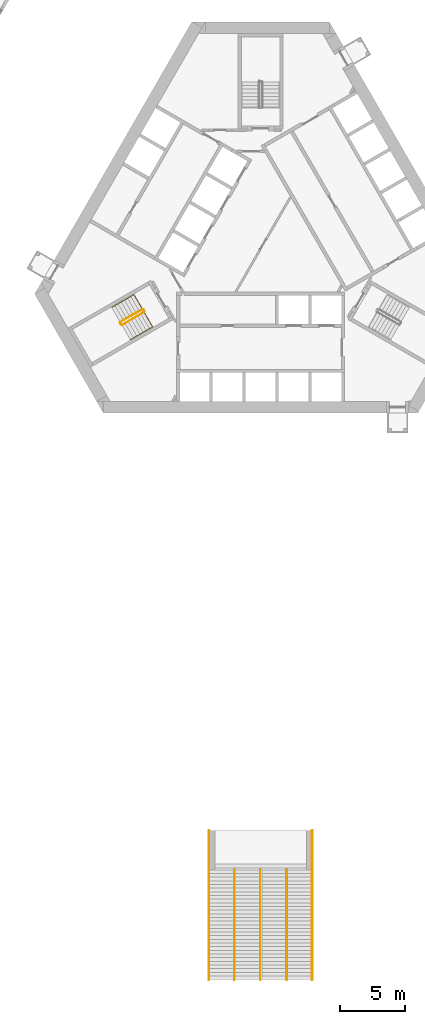
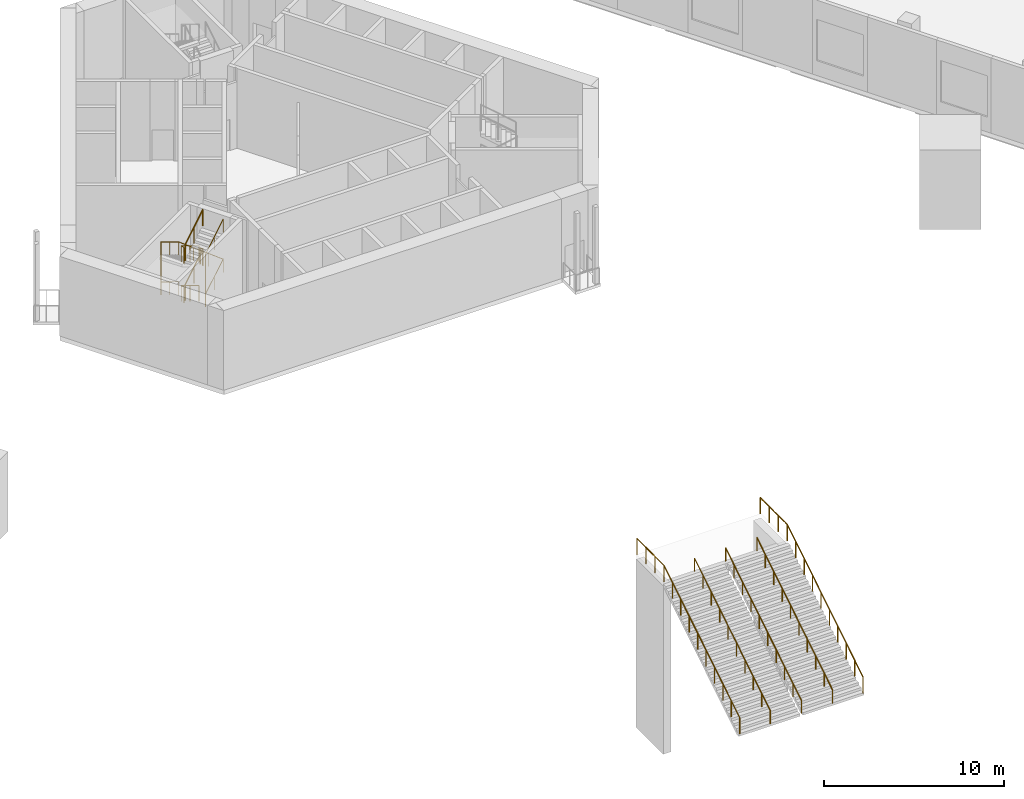
# One storey, part 27 of 35: 10 railings.
"""IFC4 building model written with IfcOpenShell, lengths in metres."""

from ifc_helpers import new_model, si_unit, direction, frame, origin, origin_2d, place, context, subcontext, project, spatial, circle, extrude, material, type_object, element, save


model = new_model("IFC4")

# Units and contexts
model_context = context("Model", 3, precision=1e-05, world=origin(), true_north=direction((0.0, 1.0)))
body_context = subcontext(model_context, "Body", "Model", "MODEL_VIEW")
ifc_project = project(units=[si_unit("LENGTHUNIT", "METRE"), si_unit("AREAUNIT", "SQUARE_METRE"), si_unit("VOLUMEUNIT", "CUBIC_METRE"), si_unit("PLANEANGLEUNIT", "RADIAN"), si_unit("MASSUNIT", "GRAM", prefix="KILO")], contexts=[model_context])

# Site, building, storey
site_placement = place(None, origin())
site = spatial("IfcSite", under=ifc_project, at=site_placement, CompositionType="ELEMENT")
building_placement = place(site_placement, origin())
building = spatial("IfcBuilding", under=site, at=building_placement, Name="Mestral Congress Tower", CompositionType="ELEMENT")
storey_placement = place(building_placement, frame((0.0, 0.0, 6.0)))
storey = spatial("IfcBuildingStorey", under=building, at=storey_placement, Name="L01", CompositionType="ELEMENT", Elevation=6.0)

# Railings
ifc_material_1 = material(Name="Steel balustrade", Category="steel")
railing_type_1 = type_object("IfcRailingType", Name="Podium broad stair guard 1100", PredefinedType="GUARDRAIL", material=ifc_material_1)
railing_1_placement = place(storey_placement, frame((-3.949951171875, -56.2880859375, 0.17431640625)))
element("IfcRailing", 1, at=railing_1_placement, inside=storey, type_object=railing_type_1, Name="Broad stair guard west", PredefinedType="GUARDRAIL", context=body_context, shape_type="SweptSolid", body=[
    extrude(circle(Radius=0.02392578125, at=origin_2d()), frame((0.0, 0.0, 1.076171875), z_axis=(0.0, 0.849109734035, 0.528216489298), x_axis=(-1.0, 0.0, 0.0)), (0.0, 0.0, 1.0), 9.892822265625),
    extrude(circle(Radius=0.02392578125, at=origin_2d()), frame((0.0, 8.400146484375, 6.3017578125), z_axis=(0.0, 1.0, 0.0), x_axis=(-1.0, 0.0, 0.0)), (0.0, 0.0, 1.0), 3.0),
    extrude(circle(Radius=0.02099609375, at=origin_2d()), origin(), (0.0, 0.0, 1.0), 1.052001953125),
    extrude(circle(Radius=0.02099609375, at=origin_2d()), frame((0.0, 0.933349609375, 0.58056640625)), (0.0, 0.0, 1.0), 1.052001953125),
    extrude(circle(Radius=0.02099609375, at=origin_2d()), frame((0.0, 1.86669921875, 1.1611328125)), (0.0, 0.0, 1.0), 1.052001953125),
    extrude(circle(Radius=0.02099609375, at=origin_2d()), frame((0.0, 2.800048828125, 1.741943359375)), (0.0, 0.0, 1.0), 1.052001953125),
    extrude(circle(Radius=0.02099609375, at=origin_2d()), frame((0.0, 3.7333984375, 2.322509765625)), (0.0, 0.0, 1.0), 1.052001953125),
    extrude(circle(Radius=0.02099609375, at=origin_2d()), frame((0.0, 4.666748046875, 2.903076171875)), (0.0, 0.0, 1.0), 1.052001953125),
    extrude(circle(Radius=0.02099609375, at=origin_2d()), frame((0.0, 5.60009765625, 3.483642578125)), (0.0, 0.0, 1.0), 1.052001953125),
    extrude(circle(Radius=0.02099609375, at=origin_2d()), frame((0.0, 6.533447265625, 4.064453125)), (0.0, 0.0, 1.0), 1.052001953125),
    extrude(circle(Radius=0.02099609375, at=origin_2d()), frame((0.0, 7.466796875, 4.64501953125)), (0.0, 0.0, 1.0), 1.052001953125),
    extrude(circle(Radius=0.02099609375, at=origin_2d()), frame((0.0, 8.400146484375, 5.2255859375)), (0.0, 0.0, 1.0), 1.052001953125),
    extrude(circle(Radius=0.02099609375, at=origin_2d()), frame((0.0, 9.400146484375, 5.2255859375)), (0.0, 0.0, 1.0), 1.052001953125),
    extrude(circle(Radius=0.02099609375, at=origin_2d()), frame((0.0, 10.400146484375, 5.2255859375)), (0.0, 0.0, 1.0), 1.052001953125),
    extrude(circle(Radius=0.02099609375, at=origin_2d()), frame((0.0, 11.400146484375, 5.2255859375)), (0.0, 0.0, 1.0), 1.052001953125),
])
railing_2_placement = place(storey_placement, frame((3.949951171875, -56.2880859375, 0.17431640625)))
element("IfcRailing", 2, at=railing_2_placement, inside=storey, type_object=railing_type_1, Name="Broad stair guard east", PredefinedType="GUARDRAIL", context=body_context, shape_type="SweptSolid", body=[
    extrude(circle(Radius=0.02392578125, at=origin_2d()), frame((0.0, 0.0, 1.076171875), z_axis=(0.0, 0.849109734035, 0.528216489298), x_axis=(-1.0, 0.0, 0.0)), (0.0, 0.0, 1.0), 9.892822265625),
    extrude(circle(Radius=0.02392578125, at=origin_2d()), frame((0.0, 8.400146484375, 6.3017578125), z_axis=(0.0, 1.0, 0.0), x_axis=(-1.0, 0.0, 0.0)), (0.0, 0.0, 1.0), 3.0),
    extrude(circle(Radius=0.02099609375, at=origin_2d()), origin(), (0.0, 0.0, 1.0), 1.052001953125),
    extrude(circle(Radius=0.02099609375, at=origin_2d()), frame((0.0, 0.933349609375, 0.58056640625)), (0.0, 0.0, 1.0), 1.052001953125),
    extrude(circle(Radius=0.02099609375, at=origin_2d()), frame((0.0, 1.86669921875, 1.1611328125)), (0.0, 0.0, 1.0), 1.052001953125),
    extrude(circle(Radius=0.02099609375, at=origin_2d()), frame((0.0, 2.800048828125, 1.741943359375)), (0.0, 0.0, 1.0), 1.052001953125),
    extrude(circle(Radius=0.02099609375, at=origin_2d()), frame((0.0, 3.7333984375, 2.322509765625)), (0.0, 0.0, 1.0), 1.052001953125),
    extrude(circle(Radius=0.02099609375, at=origin_2d()), frame((0.0, 4.666748046875, 2.903076171875)), (0.0, 0.0, 1.0), 1.052001953125),
    extrude(circle(Radius=0.02099609375, at=origin_2d()), frame((0.0, 5.60009765625, 3.483642578125)), (0.0, 0.0, 1.0), 1.052001953125),
    extrude(circle(Radius=0.02099609375, at=origin_2d()), frame((0.0, 6.533447265625, 4.064453125)), (0.0, 0.0, 1.0), 1.052001953125),
    extrude(circle(Radius=0.02099609375, at=origin_2d()), frame((0.0, 7.466796875, 4.64501953125)), (0.0, 0.0, 1.0), 1.052001953125),
    extrude(circle(Radius=0.02099609375, at=origin_2d()), frame((0.0, 8.400146484375, 5.2255859375)), (0.0, 0.0, 1.0), 1.052001953125),
    extrude(circle(Radius=0.02099609375, at=origin_2d()), frame((0.0, 9.400146484375, 5.2255859375)), (0.0, 0.0, 1.0), 1.052001953125),
    extrude(circle(Radius=0.02099609375, at=origin_2d()), frame((0.0, 10.400146484375, 5.2255859375)), (0.0, 0.0, 1.0), 1.052001953125),
    extrude(circle(Radius=0.02099609375, at=origin_2d()), frame((0.0, 11.400146484375, 5.2255859375)), (0.0, 0.0, 1.0), 1.052001953125),
])
ifc_material_2 = material(Name="Steel handrail", Category="steel")
railing_type_2 = type_object("IfcRailingType", Name="Podium broad stair handrail 900", PredefinedType="HANDRAIL", material=ifc_material_2)
for number, where, name in (
    (3, (-2.0, -56.2880859375, 0.17431640625), "Broad stair handrail"),
    (4, (0.0, -56.2880859375, 0.17431640625), "Broad stair handrail"),
    (5, (2.0, -56.2880859375, 0.17431640625), "Broad stair handrail"),
):
    element("IfcRailing", number, at=place(storey_placement, frame(where)), inside=storey, type_object=railing_type_2, Name=name, PredefinedType="HANDRAIL", context=body_context, shape_type="SweptSolid", body=[
        extrude(circle(Radius=0.02392578125, at=origin_2d()), frame((0.0, 0.0, 0.8759765625), z_axis=(0.0, 0.849109734035, 0.528216489298), x_axis=(-1.0, 0.0, 0.0)), (0.0, 0.0, 1.0), 9.892822265625),
        extrude(circle(Radius=0.02099609375, at=origin_2d()), origin(), (0.0, 0.0, 1.0), 0.851806640625),
        extrude(circle(Radius=0.02099609375, at=origin_2d()), frame((0.0, 0.933349609375, 0.58056640625)), (0.0, 0.0, 1.0), 0.851806640625),
        extrude(circle(Radius=0.02099609375, at=origin_2d()), frame((0.0, 1.86669921875, 1.1611328125)), (0.0, 0.0, 1.0), 0.851806640625),
        extrude(circle(Radius=0.02099609375, at=origin_2d()), frame((0.0, 2.800048828125, 1.741943359375)), (0.0, 0.0, 1.0), 0.851806640625),
        extrude(circle(Radius=0.02099609375, at=origin_2d()), frame((0.0, 3.7333984375, 2.322509765625)), (0.0, 0.0, 1.0), 0.851806640625),
        extrude(circle(Radius=0.02099609375, at=origin_2d()), frame((0.0, 4.666748046875, 2.903076171875)), (0.0, 0.0, 1.0), 0.851806640625),
        extrude(circle(Radius=0.02099609375, at=origin_2d()), frame((0.0, 5.60009765625, 3.483642578125)), (0.0, 0.0, 1.0), 0.851806640625),
        extrude(circle(Radius=0.02099609375, at=origin_2d()), frame((0.0, 6.533447265625, 4.064453125)), (0.0, 0.0, 1.0), 0.851806640625),
        extrude(circle(Radius=0.02099609375, at=origin_2d()), frame((0.0, 7.466796875, 4.64501953125)), (0.0, 0.0, 1.0), 0.851806640625),
        extrude(circle(Radius=0.02099609375, at=origin_2d()), frame((0.0, 8.400146484375, 5.2255859375)), (0.0, 0.0, 1.0), 0.851806640625),
    ])
railing_type_3 = type_object("IfcRailingType", Name="Stair guard 1100", PredefinedType="GUARDRAIL", material=ifc_material_1)
railing_3_placement = place(storey_placement, frame((-9.02587890625, -5.066650390625, 0.168701171875)))
element("IfcRailing", 6, at=railing_3_placement, inside=storey, type_object=railing_type_3, Name="L01 ST3 stair guard 1", PredefinedType="GUARDRAIL", context=body_context, shape_type="SweptSolid", body=[
    extrude(circle(Radius=0.02392578125, at=origin_2d()), frame((0.0, 0.0, 1.076171875), z_axis=(-0.741730552229, -0.428204578836, 0.516213741153), x_axis=(0.499970440388, -0.866042469362, 0.0)), (0.0, 0.0, 1.0), 2.28857421875),
    extrude(circle(Radius=0.02392578125, at=origin_2d()), frame((-1.697509765625, -0.97998046875, 2.25732421875), z_axis=(0.275815366736, -0.96121063429, 0.0), x_axis=(0.96121063429, 0.275815366736, 0.0)), (0.0, 0.0, 1.0), 0.206298828125),
    extrude(circle(Radius=0.02099609375, at=origin_2d()), origin(), (0.0, 0.0, 1.0), 1.052001953125),
    extrude(circle(Radius=0.02099609375, at=origin_2d()), frame((-0.8486328125, -0.489990234375, 0.5908203125)), (0.0, 0.0, 1.0), 1.052001953125),
    extrude(circle(Radius=0.02099609375, at=origin_2d()), frame((-1.697509765625, -0.97998046875, 1.181396484375)), (0.0, 0.0, 1.0), 1.052001953125),
    extrude(circle(Radius=0.02099609375, at=origin_2d()), frame((-1.640625, -1.17822265625, 1.181396484375)), (0.0, 0.0, 1.0), 1.052001953125),
])
railing_4_placement = place(storey_placement, frame((-10.598388671875, -6.26318359375, 1.518798828125)))
element("IfcRailing", 7, at=railing_4_placement, inside=storey, type_object=railing_type_3, Name="L01 ST3 stair guard 2", PredefinedType="GUARDRAIL", context=body_context, shape_type="SweptSolid", body=[
    extrude(circle(Radius=0.02392578125, at=origin_2d()), frame((0.0, 0.0, 1.076171875), z_axis=(0.741771397394, 0.428228158944, 0.516135484049), x_axis=(-0.499970440388, 0.866042469362, 0.0)), (0.0, 0.0, 1.0), 2.28857421875),
    extrude(circle(Radius=0.02392578125, at=origin_2d()), frame((1.697509765625, 0.97998046875, 2.25732421875), z_axis=(0.258736085224, 0.965948051503, 0.0), x_axis=(-0.965948051503, 0.258736085224, 0.0)), (0.0, 0.0, 1.0), 0.07080078125),
    extrude(circle(Radius=0.02392578125, at=origin_2d()), frame((1.7158203125, 1.04833984375, 2.25732421875), z_axis=(-0.499816412211, 0.866131372301, 0.0), x_axis=(-0.866131372301, -0.499816412211, 0.0)), (0.0, 0.0, 1.0), 0.14990234375),
    extrude(circle(Radius=0.02099609375, at=origin_2d()), origin(), (0.0, 0.0, 1.0), 1.052001953125),
    extrude(circle(Radius=0.02099609375, at=origin_2d()), frame((0.8486328125, 0.489990234375, 0.590576171875)), (0.0, 0.0, 1.0), 1.052001953125),
    extrude(circle(Radius=0.02099609375, at=origin_2d()), frame((1.697509765625, 0.97998046875, 1.18115234375)), (0.0, 0.0, 1.0), 1.052001953125),
    extrude(circle(Radius=0.02099609375, at=origin_2d()), frame((1.7158203125, 1.04833984375, 1.18115234375)), (0.0, 0.0, 1.0), 1.052001953125),
    extrude(circle(Radius=0.02099609375, at=origin_2d()), frame((1.640869140625, 1.17822265625, 1.18115234375)), (0.0, 0.0, 1.0), 1.052001953125),
])
railing_5_placement = place(storey_placement, frame((-9.02587890625, -5.066650390625, 2.86865234375)))
element("IfcRailing", 8, at=railing_5_placement, inside=storey, type_object=railing_type_3, Name="L01 ST3 stair guard 3", PredefinedType="GUARDRAIL", context=body_context, shape_type="SweptSolid", body=[
    extrude(circle(Radius=0.02392578125, at=origin_2d()), frame((0.0, 0.0, 1.076171875), z_axis=(-0.741730552229, -0.428204578836, 0.516213741153), x_axis=(0.499970440388, -0.866042469362, 0.0)), (0.0, 0.0, 1.0), 2.28857421875),
    extrude(circle(Radius=0.02392578125, at=origin_2d()), frame((-1.697509765625, -0.97998046875, 2.25732421875), z_axis=(0.275815366736, -0.96121063429, 0.0), x_axis=(0.96121063429, 0.275815366736, 0.0)), (0.0, 0.0, 1.0), 0.206298828125),
    extrude(circle(Radius=0.02099609375, at=origin_2d()), origin(), (0.0, 0.0, 1.0), 1.052001953125),
    extrude(circle(Radius=0.02099609375, at=origin_2d()), frame((-0.8486328125, -0.489990234375, 0.5908203125)), (0.0, 0.0, 1.0), 1.052001953125),
    extrude(circle(Radius=0.02099609375, at=origin_2d()), frame((-1.697509765625, -0.97998046875, 1.181396484375)), (0.0, 0.0, 1.0), 1.052001953125),
    extrude(circle(Radius=0.02099609375, at=origin_2d()), frame((-1.640625, -1.17822265625, 1.181396484375)), (0.0, 0.0, 1.0), 1.052001953125),
])
railing_6_placement = place(storey_placement, frame((-10.598388671875, -6.26318359375, 4.21875)))
element("IfcRailing", 9, at=railing_6_placement, inside=storey, type_object=railing_type_3, Name="L01 ST3 stair guard 4", PredefinedType="GUARDRAIL", context=body_context, shape_type="SweptSolid", body=[
    extrude(circle(Radius=0.02392578125, at=origin_2d()), frame((0.0, 0.0, 1.076171875), z_axis=(0.741771397394, 0.428228158944, 0.516135484049), x_axis=(-0.499970440388, 0.866042469362, 0.0)), (0.0, 0.0, 1.0), 2.28857421875),
    extrude(circle(Radius=0.02099609375, at=origin_2d()), origin(), (0.0, 0.0, 1.0), 1.052001953125),
    extrude(circle(Radius=0.02099609375, at=origin_2d()), frame((0.8486328125, 0.489990234375, 0.590576171875)), (0.0, 0.0, 1.0), 1.052001953125),
    extrude(circle(Radius=0.02099609375, at=origin_2d()), frame((1.697509765625, 0.97998046875, 1.18115234375)), (0.0, 0.0, 1.0), 1.052001953125),
])
railing_type_4 = type_object("IfcRailingType", Name="Stair handrail 900", PredefinedType="HANDRAIL", material=ifc_material_2)
railing_7_placement = place(storey_placement, frame((-9.67578125, -3.94091796875, 0.168701171875)))
element("IfcRailing", 10, at=railing_7_placement, inside=storey, type_object=railing_type_4, Name="L01 ST3 stair handrail 1", PredefinedType="HANDRAIL", context=body_context, shape_type="SweptSolid", body=[
    extrude(circle(Radius=0.02392578125, at=origin_2d()), frame((0.0, 0.0, 0.8759765625), z_axis=(-0.741730552229, -0.428204578836, 0.516213741153), x_axis=(0.499970440388, -0.866042469362, 0.0)), (0.0, 0.0, 1.0), 2.28857421875),
    extrude(circle(Radius=0.02392578125, at=origin_2d()), frame((-1.697509765625, -0.97998046875, 2.05712890625), z_axis=(0.0, 0.0, 1.0), x_axis=(1.0, 0.0, 0.0)), (0.0, 0.0, 1.0), 2.699951171875),
    extrude(circle(Radius=0.02392578125, at=origin_2d()), frame((-1.697509765625, -0.97998046875, 4.75732421875), z_axis=(0.741730552229, 0.428204578836, -0.516213741153), x_axis=(-0.499970440388, 0.866042469362, 0.0)), (0.0, 0.0, 1.0), 2.28857421875),
    extrude(circle(Radius=0.02392578125, at=origin_2d()), frame((0.0, 0.0, 3.57568359375), z_axis=(0.499061461536, -0.86454958467, -0.059090382098), x_axis=(0.866062911188, 0.499935029643, 0.0)), (0.0, 0.0, 1.0), 2.85498046875),
    extrude(circle(Radius=0.02392578125, at=origin_2d()), frame((1.4248046875, -2.46826171875, 3.4072265625), z_axis=(-0.74172340804, -0.428262048313, -0.516176330279), x_axis=(0.500024377727, -0.866011328839, 0.0)), (0.0, 0.0, 1.0), 2.288330078125),
    extrude(circle(Radius=0.02392578125, at=origin_2d()), frame((-0.2724609375, -3.4482421875, 2.22607421875), z_axis=(0.0, 0.0, 1.0), x_axis=(1.0, 0.0, 0.0)), (0.0, 0.0, 1.0), 2.699951171875),
    extrude(circle(Radius=0.02392578125, at=origin_2d()), frame((-0.2724609375, -3.4482421875, 4.92578125), z_axis=(0.74172340804, 0.428262048313, 0.516176330279), x_axis=(-0.500024377727, 0.866011328839, 0.0)), (0.0, 0.0, 1.0), 2.288330078125),
    extrude(circle(Radius=0.02099609375, at=origin_2d()), origin(), (0.0, 0.0, 1.0), 0.851806640625),
    extrude(circle(Radius=0.02099609375, at=origin_2d()), frame((-0.8486328125, -0.489990234375, 0.5908203125)), (0.0, 0.0, 1.0), 0.851806640625),
    extrude(circle(Radius=0.02099609375, at=origin_2d()), frame((-1.697509765625, -0.97998046875, 1.181396484375)), (0.0, 0.0, 1.0), 0.851806640625),
    extrude(circle(Radius=0.02099609375, at=origin_2d()), frame((-1.697509765625, -0.97998046875, 2.081298828125)), (0.0, 0.0, 1.0), 0.851806640625),
    extrude(circle(Radius=0.02099609375, at=origin_2d()), frame((-1.697509765625, -0.97998046875, 2.9814453125)), (0.0, 0.0, 1.0), 0.851806640625),
    extrude(circle(Radius=0.02099609375, at=origin_2d()), frame((-1.697509765625, -0.97998046875, 3.88134765625)), (0.0, 0.0, 1.0), 0.851806640625),
    extrude(circle(Radius=0.02099609375, at=origin_2d()), frame((-0.8486328125, -0.489990234375, 3.29052734375)), (0.0, 0.0, 1.0), 0.851806640625),
    extrude(circle(Radius=0.02099609375, at=origin_2d()), frame((0.0, 0.0, 2.699951171875)), (0.0, 0.0, 1.0), 0.851806640625),
    extrude(circle(Radius=0.02099609375, at=origin_2d()), frame((0.474853515625, -0.82275390625, 2.643798828125)), (0.0, 0.0, 1.0), 0.851806640625),
    extrude(circle(Radius=0.02099609375, at=origin_2d()), frame((0.949951171875, -1.6455078125, 2.58740234375)), (0.0, 0.0, 1.0), 0.851806640625),
    extrude(circle(Radius=0.02099609375, at=origin_2d()), frame((1.4248046875, -2.46826171875, 2.53125)), (0.0, 0.0, 1.0), 0.851806640625),
    extrude(circle(Radius=0.02099609375, at=origin_2d()), frame((0.576171875, -2.958251953125, 1.940673828125)), (0.0, 0.0, 1.0), 0.851806640625),
    extrude(circle(Radius=0.02099609375, at=origin_2d()), frame((-0.2724609375, -3.4482421875, 1.35009765625)), (0.0, 0.0, 1.0), 0.851806640625),
    extrude(circle(Radius=0.02099609375, at=origin_2d()), frame((-0.2724609375, -3.4482421875, 2.25)), (0.0, 0.0, 1.0), 0.851806640625),
    extrude(circle(Radius=0.02099609375, at=origin_2d()), frame((-0.2724609375, -3.4482421875, 3.150146484375)), (0.0, 0.0, 1.0), 0.851806640625),
    extrude(circle(Radius=0.02099609375, at=origin_2d()), frame((-0.2724609375, -3.4482421875, 4.050048828125)), (0.0, 0.0, 1.0), 0.851806640625),
    extrude(circle(Radius=0.02099609375, at=origin_2d()), frame((0.576171875, -2.958251953125, 4.640625)), (0.0, 0.0, 1.0), 0.851806640625),
    extrude(circle(Radius=0.02099609375, at=origin_2d()), frame((1.4248046875, -2.46826171875, 5.231201171875)), (0.0, 0.0, 1.0), 0.851806640625),
])

save(model, "model.ifc")
